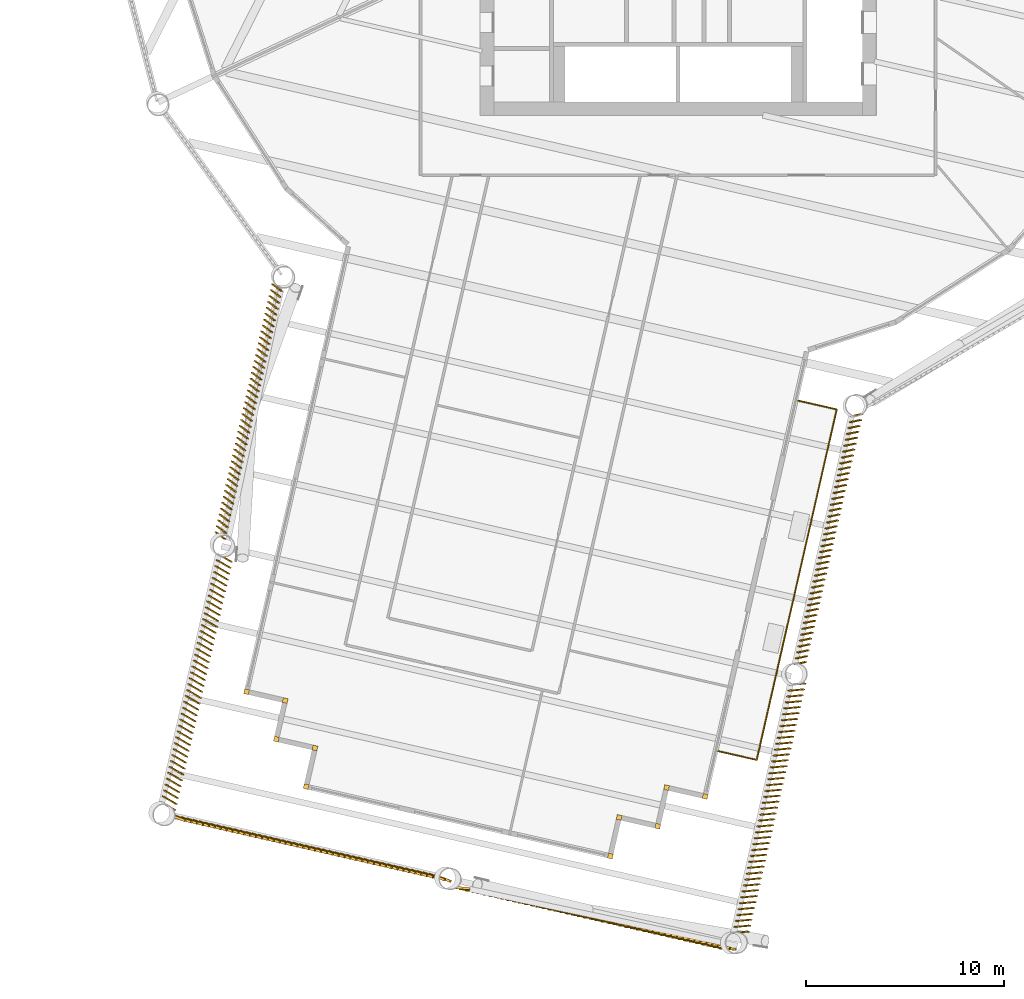
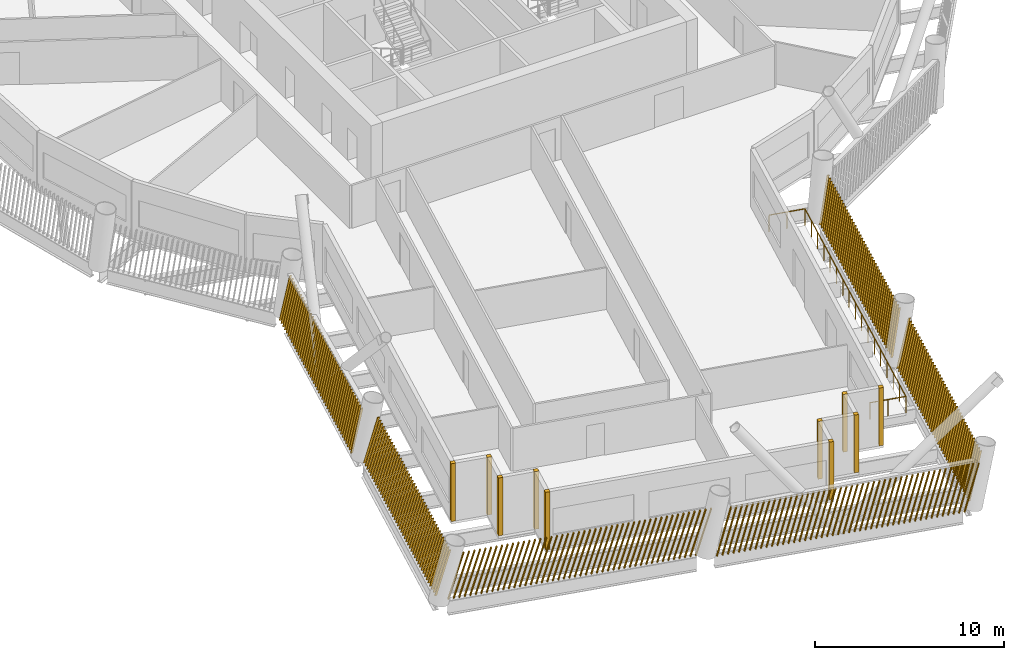
# One storey, part 17 of 21: 16 shading devices, 1 railing.
"""IFC4 building model written with IfcOpenShell, lengths in metres."""

from ifc_helpers import new_model, si_unit, direction, frame, frame_2d, origin, origin_2d, place, context, subcontext, project, spatial, rectangle, circle, composite_profile, extrude, material, type_object, element, save


model = new_model("IFC4")

# Units and contexts
model_context = context("Model", 3, precision=1e-05, world=origin(), true_north=direction((0.0, 1.0)))
body_context = subcontext(model_context, "Body", "Model", "MODEL_VIEW")
ifc_project = project(units=[si_unit("LENGTHUNIT", "METRE"), si_unit("AREAUNIT", "SQUARE_METRE"), si_unit("VOLUMEUNIT", "CUBIC_METRE"), si_unit("PLANEANGLEUNIT", "RADIAN"), si_unit("MASSUNIT", "GRAM", prefix="KILO")], contexts=[model_context])

# Site, building, storey
site_placement = place(None, origin())
site = spatial("IfcSite", under=ifc_project, at=site_placement, CompositionType="ELEMENT")
building_placement = place(site_placement, origin())
building = spatial("IfcBuilding", under=site, at=building_placement, Name="Tarsis Ring Headquarters", CompositionType="ELEMENT")
storey_placement = place(building_placement, frame((0.0, 0.0, 171.0)))
storey = spatial("IfcBuildingStorey", under=building, at=storey_placement, Name="L39", CompositionType="ELEMENT", Elevation=171.0)

# Railing
ifc_material_1 = material(Name="Stainless steel guard", Category="steel")
railing_type = type_object("IfcRailingType", Name="Balcony balustrade with mesh infill 1100", PredefinedType="BALUSTRADE", material=ifc_material_1)
railing_placement = place(storey_placement, frame((2.017333984375, -45.079833984375, 0.0)))
element("IfcRailing", 1, at=railing_placement, inside=storey, type_object=railing_type, Name="Balcony balustrade L39-16", PredefinedType="BALUSTRADE", context=body_context, shape_type="SweptSolid", body=[
    extrude(circle(Radius=0.030029296875, at=origin_2d()), frame((0.0, 0.0, 1.070068359375), z_axis=(0.974921353961, -0.222549665448, 0.0), x_axis=(0.222549665448, 0.974921353961, 0.0)), (0.0, 0.0, 1.0), 1.999755859375),
    extrude(circle(Radius=0.030029296875, at=origin_2d()), frame((1.94970703125, -0.445068359375, 1.070068359375), z_axis=(0.22257498864, 0.974915572976, 0.0), x_axis=(-0.974915572976, 0.22257498864, 0.0)), (0.0, 0.0, 1.0), 18.1513671875),
    extrude(circle(Radius=0.030029296875, at=origin_2d()), frame((5.98974609375, 17.2509765625, 1.070068359375), z_axis=(-0.974927399244, 0.222523181272, 0.0), x_axis=(-0.222523181272, -0.974927399244, 0.0)), (0.0, 0.0, 1.0), 2.0),
    extrude(circle(Radius=0.02490234375, at=origin_2d()), origin(), (0.0, 0.0, 1.0), 1.0400390625),
    extrude(circle(Radius=0.02490234375, at=origin_2d()), frame((0.974853515625, -0.22265625, 0.0)), (0.0, 0.0, 1.0), 1.0400390625),
    extrude(circle(Radius=0.02490234375, at=origin_2d()), frame((1.94970703125, -0.445068359375, 0.0)), (0.0, 0.0, 1.0), 1.0400390625),
    extrude(circle(Radius=0.02490234375, at=origin_2d()), frame((2.2021484375, 0.660888671875, 0.0)), (0.0, 0.0, 1.0), 1.0400390625),
    extrude(circle(Radius=0.02490234375, at=origin_2d()), frame((2.45458984375, 1.766845703125, 0.0)), (0.0, 0.0, 1.0), 1.0400390625),
    extrude(circle(Radius=0.02490234375, at=origin_2d()), frame((2.707275390625, 2.873046875, 0.0)), (0.0, 0.0, 1.0), 1.0400390625),
    extrude(circle(Radius=0.02490234375, at=origin_2d()), frame((2.959716796875, 3.97900390625, 0.0)), (0.0, 0.0, 1.0), 1.0400390625),
    extrude(circle(Radius=0.02490234375, at=origin_2d()), frame((3.212158203125, 5.0849609375, 0.0)), (0.0, 0.0, 1.0), 1.0400390625),
    extrude(circle(Radius=0.02490234375, at=origin_2d()), frame((3.46484375, 6.19091796875, 0.0)), (0.0, 0.0, 1.0), 1.0400390625),
    extrude(circle(Radius=0.02490234375, at=origin_2d()), frame((3.71728515625, 7.296875, 0.0)), (0.0, 0.0, 1.0), 1.0400390625),
    extrude(circle(Radius=0.02490234375, at=origin_2d()), frame((3.9697265625, 8.40283203125, 0.0)), (0.0, 0.0, 1.0), 1.0400390625),
    extrude(circle(Radius=0.02490234375, at=origin_2d()), frame((4.22216796875, 9.509033203125, 0.0)), (0.0, 0.0, 1.0), 1.0400390625),
    extrude(circle(Radius=0.02490234375, at=origin_2d()), frame((4.474609375, 10.614990234375, 0.0)), (0.0, 0.0, 1.0), 1.0400390625),
    extrude(circle(Radius=0.02490234375, at=origin_2d()), frame((4.727294921875, 11.720947265625, 0.0)), (0.0, 0.0, 1.0), 1.0400390625),
    extrude(circle(Radius=0.02490234375, at=origin_2d()), frame((4.979736328125, 12.826904296875, 0.0)), (0.0, 0.0, 1.0), 1.0400390625),
    extrude(circle(Radius=0.02490234375, at=origin_2d()), frame((5.232177734375, 13.932861328125, 0.0)), (0.0, 0.0, 1.0), 1.0400390625),
    extrude(circle(Radius=0.02490234375, at=origin_2d()), frame((5.48486328125, 15.0390625, 0.0)), (0.0, 0.0, 1.0), 1.0400390625),
    extrude(circle(Radius=0.02490234375, at=origin_2d()), frame((5.7373046875, 16.14501953125, 0.0)), (0.0, 0.0, 1.0), 1.0400390625),
    extrude(circle(Radius=0.02490234375, at=origin_2d()), frame((5.98974609375, 17.2509765625, 0.0)), (0.0, 0.0, 1.0), 1.0400390625),
    extrude(circle(Radius=0.02490234375, at=origin_2d()), frame((5.0146484375, 17.4736328125, 0.0)), (0.0, 0.0, 1.0), 1.0400390625),
    extrude(circle(Radius=0.02490234375, at=origin_2d()), frame((4.039794921875, 17.696044921875, 0.0)), (0.0, 0.0, 1.0), 1.0400390625),
])

# Shading devices
ifc_material_2 = material(Name="Terracotta baguette", Category="masonry")
shading_device_type_1 = type_object("IfcShadingDeviceType", Name="Terracotta baguette screen", PredefinedType="USERDEFINED", material=ifc_material_2)
shading_device_1_placement = place(storey_placement, frame((-20.468994140625, -21.478515625, 0.0), z_axis=(0.0, 0.0, 1.0), x_axis=(-0.222562821677, -0.974909173479, 0.0)))
element("IfcShadingDevice", 2, at=shading_device_1_placement, inside=storey, type_object=shading_device_type_1, Name="Baguette screen L39-01", ObjectType="Terracotta baguette screen", PredefinedType="USERDEFINED", context=body_context, shape_type="SweptSolid", body=[
    extrude(composite_profile([rectangle(XDim=0.06005859375, YDim=0.1201171875, at=frame_2d((0.030029296875, 0.0))), rectangle(XDim=0.06005859375, YDim=0.1201171875, at=frame_2d((0.335693359375, 0.0))), rectangle(XDim=0.06005859375, YDim=0.1201171875, at=frame_2d((0.6416015625, 0.0))), rectangle(XDim=0.06005859375, YDim=0.1201171875, at=frame_2d((0.947265625, 0.0))), rectangle(XDim=0.06005859375, YDim=0.1201171875, at=frame_2d((1.253173828125, 0.0))), rectangle(XDim=0.06005859375, YDim=0.1201171875, at=frame_2d((1.558837890625, 0.0))), rectangle(XDim=0.06005859375, YDim=0.1201171875, at=frame_2d((1.864501953125, 0.0))), rectangle(XDim=0.06005859375, YDim=0.1201171875, at=frame_2d((2.17041015625, 0.0))), rectangle(XDim=0.06005859375, YDim=0.1201171875, at=frame_2d((2.47607421875, 0.0))), rectangle(XDim=0.06005859375, YDim=0.1201171875, at=frame_2d((2.781982421875, 0.0))), rectangle(XDim=0.06005859375, YDim=0.1201171875, at=frame_2d((3.087646484375, 0.0))), rectangle(XDim=0.06005859375, YDim=0.1201171875, at=frame_2d((3.393310546875, 0.0))), rectangle(XDim=0.06005859375, YDim=0.1201171875, at=frame_2d((3.69921875, 0.0))), rectangle(XDim=0.06005859375, YDim=0.1201171875, at=frame_2d((4.0048828125, 0.0))), rectangle(XDim=0.06005859375, YDim=0.1201171875, at=frame_2d((4.310791015625, 0.0))), rectangle(XDim=0.06005859375, YDim=0.1201171875, at=frame_2d((4.616455078125, 0.0))), rectangle(XDim=0.06005859375, YDim=0.1201171875, at=frame_2d((4.922119140625, 0.0))), rectangle(XDim=0.06005859375, YDim=0.1201171875, at=frame_2d((5.22802734375, 0.0))), rectangle(XDim=0.06005859375, YDim=0.1201171875, at=frame_2d((5.53369140625, 0.0))), rectangle(XDim=0.06005859375, YDim=0.1201171875, at=frame_2d((5.839599609375, 0.0))), rectangle(XDim=0.06005859375, YDim=0.1201171875, at=frame_2d((6.145263671875, 0.0))), rectangle(XDim=0.06005859375, YDim=0.1201171875, at=frame_2d((6.451171875, 0.0))), rectangle(XDim=0.06005859375, YDim=0.1201171875, at=frame_2d((6.7568359375, 0.0))), rectangle(XDim=0.06005859375, YDim=0.1201171875, at=frame_2d((7.0625, 0.0))), rectangle(XDim=0.06005859375, YDim=0.1201171875, at=frame_2d((7.368408203125, 0.0))), rectangle(XDim=0.06005859375, YDim=0.1201171875, at=frame_2d((7.674072265625, 0.0))), rectangle(XDim=0.06005859375, YDim=0.1201171875, at=frame_2d((7.97998046875, 0.0))), rectangle(XDim=0.06005859375, YDim=0.1201171875, at=frame_2d((8.28564453125, 0.0))), rectangle(XDim=0.06005859375, YDim=0.1201171875, at=frame_2d((8.59130859375, 0.0))), rectangle(XDim=0.06005859375, YDim=0.1201171875, at=frame_2d((8.897216796875, 0.0))), rectangle(XDim=0.06005859375, YDim=0.1201171875, at=frame_2d((9.202880859375, 0.0))), rectangle(XDim=0.06005859375, YDim=0.1201171875, at=frame_2d((9.5087890625, 0.0))), rectangle(XDim=0.06005859375, YDim=0.1201171875, at=frame_2d((9.814453125, 0.0))), rectangle(XDim=0.06005859375, YDim=0.1201171875, at=frame_2d((10.1201171875, 0.0))), rectangle(XDim=0.06005859375, YDim=0.1201171875, at=frame_2d((10.426025390625, 0.0))), rectangle(XDim=0.06005859375, YDim=0.1201171875, at=frame_2d((10.731689453125, 0.0))), rectangle(XDim=0.06005859375, YDim=0.1201171875, at=frame_2d((11.03759765625, 0.0))), rectangle(XDim=0.06005859375, YDim=0.1201171875, at=frame_2d((11.34326171875, 0.0))), rectangle(XDim=0.06005859375, YDim=0.1201171875, at=frame_2d((11.64892578125, 0.0))), rectangle(XDim=0.06005859375, YDim=0.1201171875, at=frame_2d((11.954833984375, 0.0))), rectangle(XDim=0.06005859375, YDim=0.1201171875, at=frame_2d((12.260498046875, 0.0))), rectangle(XDim=0.06005859375, YDim=0.1201171875, at=frame_2d((12.56640625, 0.0))), rectangle(XDim=0.06005859375, YDim=0.1201171875, at=frame_2d((12.8720703125, 0.0)))]), origin(), (0.078092054548, 0.167786328926, 0.982725484987), 3.001708984375),
])
shading_device_2_placement = place(storey_placement, frame((-23.197509765625, -35.115478515625, 0.0), z_axis=(0.0, 0.0, 1.0), x_axis=(-0.222562821677, -0.974909173479, 0.0)))
element("IfcShadingDevice", 3, at=shading_device_2_placement, inside=storey, type_object=shading_device_type_1, Name="Baguette screen L39-02", ObjectType="Terracotta baguette screen", PredefinedType="USERDEFINED", context=body_context, shape_type="SweptSolid", body=[
    extrude(composite_profile([rectangle(XDim=0.06005859375, YDim=0.1201171875, at=frame_2d((0.030029296875, 0.0))), rectangle(XDim=0.06005859375, YDim=0.1201171875, at=frame_2d((0.335693359375, 0.0))), rectangle(XDim=0.06005859375, YDim=0.1201171875, at=frame_2d((0.6416015625, 0.0))), rectangle(XDim=0.06005859375, YDim=0.1201171875, at=frame_2d((0.947265625, 0.0))), rectangle(XDim=0.06005859375, YDim=0.1201171875, at=frame_2d((1.253173828125, 0.0))), rectangle(XDim=0.06005859375, YDim=0.1201171875, at=frame_2d((1.558837890625, 0.0))), rectangle(XDim=0.06005859375, YDim=0.1201171875, at=frame_2d((1.864501953125, 0.0))), rectangle(XDim=0.06005859375, YDim=0.1201171875, at=frame_2d((2.17041015625, 0.0))), rectangle(XDim=0.06005859375, YDim=0.1201171875, at=frame_2d((2.47607421875, 0.0))), rectangle(XDim=0.06005859375, YDim=0.1201171875, at=frame_2d((2.781982421875, 0.0))), rectangle(XDim=0.06005859375, YDim=0.1201171875, at=frame_2d((3.087646484375, 0.0))), rectangle(XDim=0.06005859375, YDim=0.1201171875, at=frame_2d((3.393310546875, 0.0))), rectangle(XDim=0.06005859375, YDim=0.1201171875, at=frame_2d((3.69921875, 0.0))), rectangle(XDim=0.06005859375, YDim=0.1201171875, at=frame_2d((4.0048828125, 0.0))), rectangle(XDim=0.06005859375, YDim=0.1201171875, at=frame_2d((4.310791015625, 0.0))), rectangle(XDim=0.06005859375, YDim=0.1201171875, at=frame_2d((4.616455078125, 0.0))), rectangle(XDim=0.06005859375, YDim=0.1201171875, at=frame_2d((4.922119140625, 0.0))), rectangle(XDim=0.06005859375, YDim=0.1201171875, at=frame_2d((5.22802734375, 0.0))), rectangle(XDim=0.06005859375, YDim=0.1201171875, at=frame_2d((5.53369140625, 0.0))), rectangle(XDim=0.06005859375, YDim=0.1201171875, at=frame_2d((5.839599609375, 0.0))), rectangle(XDim=0.06005859375, YDim=0.1201171875, at=frame_2d((6.145263671875, 0.0))), rectangle(XDim=0.06005859375, YDim=0.1201171875, at=frame_2d((6.451171875, 0.0))), rectangle(XDim=0.06005859375, YDim=0.1201171875, at=frame_2d((6.7568359375, 0.0))), rectangle(XDim=0.06005859375, YDim=0.1201171875, at=frame_2d((7.0625, 0.0))), rectangle(XDim=0.06005859375, YDim=0.1201171875, at=frame_2d((7.368408203125, 0.0))), rectangle(XDim=0.06005859375, YDim=0.1201171875, at=frame_2d((7.674072265625, 0.0))), rectangle(XDim=0.06005859375, YDim=0.1201171875, at=frame_2d((7.97998046875, 0.0))), rectangle(XDim=0.06005859375, YDim=0.1201171875, at=frame_2d((8.28564453125, 0.0))), rectangle(XDim=0.06005859375, YDim=0.1201171875, at=frame_2d((8.59130859375, 0.0))), rectangle(XDim=0.06005859375, YDim=0.1201171875, at=frame_2d((8.897216796875, 0.0))), rectangle(XDim=0.06005859375, YDim=0.1201171875, at=frame_2d((9.202880859375, 0.0))), rectangle(XDim=0.06005859375, YDim=0.1201171875, at=frame_2d((9.5087890625, 0.0))), rectangle(XDim=0.06005859375, YDim=0.1201171875, at=frame_2d((9.814453125, 0.0))), rectangle(XDim=0.06005859375, YDim=0.1201171875, at=frame_2d((10.1201171875, 0.0))), rectangle(XDim=0.06005859375, YDim=0.1201171875, at=frame_2d((10.426025390625, 0.0))), rectangle(XDim=0.06005859375, YDim=0.1201171875, at=frame_2d((10.731689453125, 0.0))), rectangle(XDim=0.06005859375, YDim=0.1201171875, at=frame_2d((11.03759765625, 0.0))), rectangle(XDim=0.06005859375, YDim=0.1201171875, at=frame_2d((11.34326171875, 0.0))), rectangle(XDim=0.06005859375, YDim=0.1201171875, at=frame_2d((11.64892578125, 0.0))), rectangle(XDim=0.06005859375, YDim=0.1201171875, at=frame_2d((11.954833984375, 0.0))), rectangle(XDim=0.06005859375, YDim=0.1201171875, at=frame_2d((12.260498046875, 0.0))), rectangle(XDim=0.06005859375, YDim=0.1201171875, at=frame_2d((12.56640625, 0.0))), rectangle(XDim=0.06005859375, YDim=0.1201171875, at=frame_2d((12.8720703125, 0.0)))]), origin(), (0.074475694644, 0.237067092116, 0.968634381355), 3.04541015625),
])
shading_device_3_placement = place(storey_placement, frame((-25.69287109375, -48.29296875, 0.0), z_axis=(0.0, 0.0, 1.0), x_axis=(0.974913754976, -0.222556390977, 0.0)))
element("IfcShadingDevice", 4, at=shading_device_3_placement, inside=storey, type_object=shading_device_type_1, Name="Baguette screen L39-03", ObjectType="Terracotta baguette screen", PredefinedType="USERDEFINED", context=body_context, shape_type="SweptSolid", body=[
    extrude(composite_profile([rectangle(XDim=0.06005859375, YDim=0.1201171875, at=frame_2d((0.030029296875, 0.0))), rectangle(XDim=0.06005859375, YDim=0.1201171875, at=frame_2d((0.33544921875, 0.0))), rectangle(XDim=0.06005859375, YDim=0.1201171875, at=frame_2d((0.640625, 0.0))), rectangle(XDim=0.06005859375, YDim=0.1201171875, at=frame_2d((0.946044921875, 0.0))), rectangle(XDim=0.06005859375, YDim=0.1201171875, at=frame_2d((1.25146484375, 0.0))), rectangle(XDim=0.06005859375, YDim=0.1201171875, at=frame_2d((1.556640625, 0.0))), rectangle(XDim=0.06005859375, YDim=0.1201171875, at=frame_2d((1.862060546875, 0.0))), rectangle(XDim=0.06005859375, YDim=0.1201171875, at=frame_2d((2.16748046875, 0.0))), rectangle(XDim=0.06005859375, YDim=0.1201171875, at=frame_2d((2.47265625, 0.0))), rectangle(XDim=0.06005859375, YDim=0.1201171875, at=frame_2d((2.778076171875, 0.0))), rectangle(XDim=0.06005859375, YDim=0.1201171875, at=frame_2d((3.08349609375, 0.0))), rectangle(XDim=0.06005859375, YDim=0.1201171875, at=frame_2d((3.388671875, 0.0))), rectangle(XDim=0.06005859375, YDim=0.1201171875, at=frame_2d((3.694091796875, 0.0))), rectangle(XDim=0.06005859375, YDim=0.1201171875, at=frame_2d((3.99951171875, 0.0))), rectangle(XDim=0.06005859375, YDim=0.1201171875, at=frame_2d((4.3046875, 0.0))), rectangle(XDim=0.06005859375, YDim=0.1201171875, at=frame_2d((4.610107421875, 0.0))), rectangle(XDim=0.06005859375, YDim=0.1201171875, at=frame_2d((4.91552734375, 0.0))), rectangle(XDim=0.06005859375, YDim=0.1201171875, at=frame_2d((5.220703125, 0.0))), rectangle(XDim=0.06005859375, YDim=0.1201171875, at=frame_2d((5.526123046875, 0.0))), rectangle(XDim=0.06005859375, YDim=0.1201171875, at=frame_2d((5.83154296875, 0.0))), rectangle(XDim=0.06005859375, YDim=0.1201171875, at=frame_2d((6.13671875, 0.0))), rectangle(XDim=0.06005859375, YDim=0.1201171875, at=frame_2d((6.442138671875, 0.0))), rectangle(XDim=0.06005859375, YDim=0.1201171875, at=frame_2d((6.74755859375, 0.0))), rectangle(XDim=0.06005859375, YDim=0.1201171875, at=frame_2d((7.052734375, 0.0))), rectangle(XDim=0.06005859375, YDim=0.1201171875, at=frame_2d((7.358154296875, 0.0))), rectangle(XDim=0.06005859375, YDim=0.1201171875, at=frame_2d((7.66357421875, 0.0))), rectangle(XDim=0.06005859375, YDim=0.1201171875, at=frame_2d((7.96875, 0.0))), rectangle(XDim=0.06005859375, YDim=0.1201171875, at=frame_2d((8.274169921875, 0.0))), rectangle(XDim=0.06005859375, YDim=0.1201171875, at=frame_2d((8.57958984375, 0.0))), rectangle(XDim=0.06005859375, YDim=0.1201171875, at=frame_2d((8.884765625, 0.0))), rectangle(XDim=0.06005859375, YDim=0.1201171875, at=frame_2d((9.190185546875, 0.0))), rectangle(XDim=0.06005859375, YDim=0.1201171875, at=frame_2d((9.49560546875, 0.0))), rectangle(XDim=0.06005859375, YDim=0.1201171875, at=frame_2d((9.80078125, 0.0))), rectangle(XDim=0.06005859375, YDim=0.1201171875, at=frame_2d((10.106201171875, 0.0))), rectangle(XDim=0.06005859375, YDim=0.1201171875, at=frame_2d((10.41162109375, 0.0))), rectangle(XDim=0.06005859375, YDim=0.1201171875, at=frame_2d((10.716796875, 0.0))), rectangle(XDim=0.06005859375, YDim=0.1201171875, at=frame_2d((11.022216796875, 0.0))), rectangle(XDim=0.06005859375, YDim=0.1201171875, at=frame_2d((11.32763671875, 0.0))), rectangle(XDim=0.06005859375, YDim=0.1201171875, at=frame_2d((11.6328125, 0.0))), rectangle(XDim=0.06005859375, YDim=0.1201171875, at=frame_2d((11.938232421875, 0.0))), rectangle(XDim=0.06005859375, YDim=0.1201171875, at=frame_2d((12.24365234375, 0.0))), rectangle(XDim=0.06005859375, YDim=0.1201171875, at=frame_2d((12.548828125, 0.0))), rectangle(XDim=0.06005859375, YDim=0.1201171875, at=frame_2d((12.854248046875, 0.0))), rectangle(XDim=0.06005859375, YDim=0.1201171875, at=frame_2d((13.15966796875, 0.0))), rectangle(XDim=0.06005859375, YDim=0.1201171875, at=frame_2d((13.46484375, 0.0))), rectangle(XDim=0.06005859375, YDim=0.1201171875, at=frame_2d((13.770263671875, 0.0)))]), origin(), (0.270747163021, -0.035783246808, 0.961985204129), 3.06640625),
])
shading_device_4_placement = place(storey_placement, frame((-11.34765625, -51.952392578125, 0.0), z_axis=(0.0, 0.0, 1.0), x_axis=(0.974913754976, -0.222574082264, 0.0)))
element("IfcShadingDevice", 5, at=shading_device_4_placement, inside=storey, type_object=shading_device_type_1, Name="Baguette screen L39-04", ObjectType="Terracotta baguette screen", PredefinedType="USERDEFINED", context=body_context, shape_type="SweptSolid", body=[
    extrude(composite_profile([rectangle(XDim=0.06005859375, YDim=0.1201171875, at=frame_2d((0.030029296875, 0.0))), rectangle(XDim=0.06005859375, YDim=0.1201171875, at=frame_2d((0.33544921875, 0.0))), rectangle(XDim=0.06005859375, YDim=0.1201171875, at=frame_2d((0.640625, 0.0))), rectangle(XDim=0.06005859375, YDim=0.1201171875, at=frame_2d((0.946044921875, 0.0))), rectangle(XDim=0.06005859375, YDim=0.1201171875, at=frame_2d((1.25146484375, 0.0))), rectangle(XDim=0.06005859375, YDim=0.1201171875, at=frame_2d((1.556640625, 0.0))), rectangle(XDim=0.06005859375, YDim=0.1201171875, at=frame_2d((1.862060546875, 0.0))), rectangle(XDim=0.06005859375, YDim=0.1201171875, at=frame_2d((2.16748046875, 0.0))), rectangle(XDim=0.06005859375, YDim=0.1201171875, at=frame_2d((2.47265625, 0.0))), rectangle(XDim=0.06005859375, YDim=0.1201171875, at=frame_2d((2.778076171875, 0.0))), rectangle(XDim=0.06005859375, YDim=0.1201171875, at=frame_2d((3.08349609375, 0.0))), rectangle(XDim=0.06005859375, YDim=0.1201171875, at=frame_2d((3.388671875, 0.0))), rectangle(XDim=0.06005859375, YDim=0.1201171875, at=frame_2d((3.694091796875, 0.0))), rectangle(XDim=0.06005859375, YDim=0.1201171875, at=frame_2d((3.99951171875, 0.0))), rectangle(XDim=0.06005859375, YDim=0.1201171875, at=frame_2d((4.3046875, 0.0))), rectangle(XDim=0.06005859375, YDim=0.1201171875, at=frame_2d((4.610107421875, 0.0))), rectangle(XDim=0.06005859375, YDim=0.1201171875, at=frame_2d((4.91552734375, 0.0))), rectangle(XDim=0.06005859375, YDim=0.1201171875, at=frame_2d((5.220703125, 0.0))), rectangle(XDim=0.06005859375, YDim=0.1201171875, at=frame_2d((5.526123046875, 0.0))), rectangle(XDim=0.06005859375, YDim=0.1201171875, at=frame_2d((5.83154296875, 0.0))), rectangle(XDim=0.06005859375, YDim=0.1201171875, at=frame_2d((6.13671875, 0.0))), rectangle(XDim=0.06005859375, YDim=0.1201171875, at=frame_2d((6.442138671875, 0.0))), rectangle(XDim=0.06005859375, YDim=0.1201171875, at=frame_2d((6.74755859375, 0.0))), rectangle(XDim=0.06005859375, YDim=0.1201171875, at=frame_2d((7.052734375, 0.0))), rectangle(XDim=0.06005859375, YDim=0.1201171875, at=frame_2d((7.358154296875, 0.0))), rectangle(XDim=0.06005859375, YDim=0.1201171875, at=frame_2d((7.66357421875, 0.0))), rectangle(XDim=0.06005859375, YDim=0.1201171875, at=frame_2d((7.96875, 0.0))), rectangle(XDim=0.06005859375, YDim=0.1201171875, at=frame_2d((8.274169921875, 0.0))), rectangle(XDim=0.06005859375, YDim=0.1201171875, at=frame_2d((8.57958984375, 0.0))), rectangle(XDim=0.06005859375, YDim=0.1201171875, at=frame_2d((8.884765625, 0.0))), rectangle(XDim=0.06005859375, YDim=0.1201171875, at=frame_2d((9.190185546875, 0.0))), rectangle(XDim=0.06005859375, YDim=0.1201171875, at=frame_2d((9.49560546875, 0.0))), rectangle(XDim=0.06005859375, YDim=0.1201171875, at=frame_2d((9.80078125, 0.0))), rectangle(XDim=0.06005859375, YDim=0.1201171875, at=frame_2d((10.106201171875, 0.0))), rectangle(XDim=0.06005859375, YDim=0.1201171875, at=frame_2d((10.41162109375, 0.0))), rectangle(XDim=0.06005859375, YDim=0.1201171875, at=frame_2d((10.716796875, 0.0))), rectangle(XDim=0.06005859375, YDim=0.1201171875, at=frame_2d((11.022216796875, 0.0))), rectangle(XDim=0.06005859375, YDim=0.1201171875, at=frame_2d((11.32763671875, 0.0))), rectangle(XDim=0.06005859375, YDim=0.1201171875, at=frame_2d((11.6328125, 0.0))), rectangle(XDim=0.06005859375, YDim=0.1201171875, at=frame_2d((11.938232421875, 0.0))), rectangle(XDim=0.06005859375, YDim=0.1201171875, at=frame_2d((12.24365234375, 0.0))), rectangle(XDim=0.06005859375, YDim=0.1201171875, at=frame_2d((12.548828125, 0.0))), rectangle(XDim=0.06005859375, YDim=0.1201171875, at=frame_2d((12.854248046875, 0.0))), rectangle(XDim=0.06005859375, YDim=0.1201171875, at=frame_2d((13.15966796875, 0.0))), rectangle(XDim=0.06005859375, YDim=0.1201171875, at=frame_2d((13.46484375, 0.0))), rectangle(XDim=0.06005859375, YDim=0.1201171875, at=frame_2d((13.770263671875, 0.0)))]), origin(), (0.271931999451, 0.040023821374, 0.961483791542), 3.068115234375),
])
shading_device_5_placement = place(storey_placement, frame((2.788330078125, -54.2822265625, 0.0), z_axis=(0.0, 0.0, 1.0), x_axis=(0.222562821677, 0.974909173479, 0.0)))
element("IfcShadingDevice", 6, at=shading_device_5_placement, inside=storey, type_object=shading_device_type_1, Name="Baguette screen L39-05", ObjectType="Terracotta baguette screen", PredefinedType="USERDEFINED", context=body_context, shape_type="SweptSolid", body=[
    extrude(composite_profile([rectangle(XDim=0.06005859375, YDim=0.1201171875, at=frame_2d((0.030029296875, 0.0))), rectangle(XDim=0.06005859375, YDim=0.1201171875, at=frame_2d((0.335693359375, 0.0))), rectangle(XDim=0.06005859375, YDim=0.1201171875, at=frame_2d((0.6416015625, 0.0))), rectangle(XDim=0.06005859375, YDim=0.1201171875, at=frame_2d((0.947265625, 0.0))), rectangle(XDim=0.06005859375, YDim=0.1201171875, at=frame_2d((1.253173828125, 0.0))), rectangle(XDim=0.06005859375, YDim=0.1201171875, at=frame_2d((1.558837890625, 0.0))), rectangle(XDim=0.06005859375, YDim=0.1201171875, at=frame_2d((1.864501953125, 0.0))), rectangle(XDim=0.06005859375, YDim=0.1201171875, at=frame_2d((2.17041015625, 0.0))), rectangle(XDim=0.06005859375, YDim=0.1201171875, at=frame_2d((2.47607421875, 0.0))), rectangle(XDim=0.06005859375, YDim=0.1201171875, at=frame_2d((2.781982421875, 0.0))), rectangle(XDim=0.06005859375, YDim=0.1201171875, at=frame_2d((3.087646484375, 0.0))), rectangle(XDim=0.06005859375, YDim=0.1201171875, at=frame_2d((3.393310546875, 0.0))), rectangle(XDim=0.06005859375, YDim=0.1201171875, at=frame_2d((3.69921875, 0.0))), rectangle(XDim=0.06005859375, YDim=0.1201171875, at=frame_2d((4.0048828125, 0.0))), rectangle(XDim=0.06005859375, YDim=0.1201171875, at=frame_2d((4.310791015625, 0.0))), rectangle(XDim=0.06005859375, YDim=0.1201171875, at=frame_2d((4.616455078125, 0.0))), rectangle(XDim=0.06005859375, YDim=0.1201171875, at=frame_2d((4.922119140625, 0.0))), rectangle(XDim=0.06005859375, YDim=0.1201171875, at=frame_2d((5.22802734375, 0.0))), rectangle(XDim=0.06005859375, YDim=0.1201171875, at=frame_2d((5.53369140625, 0.0))), rectangle(XDim=0.06005859375, YDim=0.1201171875, at=frame_2d((5.839599609375, 0.0))), rectangle(XDim=0.06005859375, YDim=0.1201171875, at=frame_2d((6.145263671875, 0.0))), rectangle(XDim=0.06005859375, YDim=0.1201171875, at=frame_2d((6.451171875, 0.0))), rectangle(XDim=0.06005859375, YDim=0.1201171875, at=frame_2d((6.7568359375, 0.0))), rectangle(XDim=0.06005859375, YDim=0.1201171875, at=frame_2d((7.0625, 0.0))), rectangle(XDim=0.06005859375, YDim=0.1201171875, at=frame_2d((7.368408203125, 0.0))), rectangle(XDim=0.06005859375, YDim=0.1201171875, at=frame_2d((7.674072265625, 0.0))), rectangle(XDim=0.06005859375, YDim=0.1201171875, at=frame_2d((7.97998046875, 0.0))), rectangle(XDim=0.06005859375, YDim=0.1201171875, at=frame_2d((8.28564453125, 0.0))), rectangle(XDim=0.06005859375, YDim=0.1201171875, at=frame_2d((8.59130859375, 0.0))), rectangle(XDim=0.06005859375, YDim=0.1201171875, at=frame_2d((8.897216796875, 0.0))), rectangle(XDim=0.06005859375, YDim=0.1201171875, at=frame_2d((9.202880859375, 0.0))), rectangle(XDim=0.06005859375, YDim=0.1201171875, at=frame_2d((9.5087890625, 0.0))), rectangle(XDim=0.06005859375, YDim=0.1201171875, at=frame_2d((9.814453125, 0.0))), rectangle(XDim=0.06005859375, YDim=0.1201171875, at=frame_2d((10.1201171875, 0.0))), rectangle(XDim=0.06005859375, YDim=0.1201171875, at=frame_2d((10.426025390625, 0.0))), rectangle(XDim=0.06005859375, YDim=0.1201171875, at=frame_2d((10.731689453125, 0.0))), rectangle(XDim=0.06005859375, YDim=0.1201171875, at=frame_2d((11.03759765625, 0.0))), rectangle(XDim=0.06005859375, YDim=0.1201171875, at=frame_2d((11.34326171875, 0.0))), rectangle(XDim=0.06005859375, YDim=0.1201171875, at=frame_2d((11.64892578125, 0.0))), rectangle(XDim=0.06005859375, YDim=0.1201171875, at=frame_2d((11.954833984375, 0.0))), rectangle(XDim=0.06005859375, YDim=0.1201171875, at=frame_2d((12.260498046875, 0.0))), rectangle(XDim=0.06005859375, YDim=0.1201171875, at=frame_2d((12.56640625, 0.0))), rectangle(XDim=0.06005859375, YDim=0.1201171875, at=frame_2d((12.8720703125, 0.0)))]), origin(), (0.078187828554, -0.235868246407, 0.968634520241), 3.04541015625),
])
shading_device_6_placement = place(storey_placement, frame((5.882568359375, -40.728759765625, 0.0), z_axis=(0.0, 0.0, 1.0), x_axis=(0.222562821677, 0.974909173479, 0.0)))
element("IfcShadingDevice", 7, at=shading_device_6_placement, inside=storey, type_object=shading_device_type_1, Name="Baguette screen L39-06", ObjectType="Terracotta baguette screen", PredefinedType="USERDEFINED", context=body_context, shape_type="SweptSolid", body=[
    extrude(composite_profile([rectangle(XDim=0.06005859375, YDim=0.1201171875, at=frame_2d((0.030029296875, 0.0))), rectangle(XDim=0.06005859375, YDim=0.1201171875, at=frame_2d((0.335693359375, 0.0))), rectangle(XDim=0.06005859375, YDim=0.1201171875, at=frame_2d((0.6416015625, 0.0))), rectangle(XDim=0.06005859375, YDim=0.1201171875, at=frame_2d((0.947265625, 0.0))), rectangle(XDim=0.06005859375, YDim=0.1201171875, at=frame_2d((1.253173828125, 0.0))), rectangle(XDim=0.06005859375, YDim=0.1201171875, at=frame_2d((1.558837890625, 0.0))), rectangle(XDim=0.06005859375, YDim=0.1201171875, at=frame_2d((1.864501953125, 0.0))), rectangle(XDim=0.06005859375, YDim=0.1201171875, at=frame_2d((2.17041015625, 0.0))), rectangle(XDim=0.06005859375, YDim=0.1201171875, at=frame_2d((2.47607421875, 0.0))), rectangle(XDim=0.06005859375, YDim=0.1201171875, at=frame_2d((2.781982421875, 0.0))), rectangle(XDim=0.06005859375, YDim=0.1201171875, at=frame_2d((3.087646484375, 0.0))), rectangle(XDim=0.06005859375, YDim=0.1201171875, at=frame_2d((3.393310546875, 0.0))), rectangle(XDim=0.06005859375, YDim=0.1201171875, at=frame_2d((3.69921875, 0.0))), rectangle(XDim=0.06005859375, YDim=0.1201171875, at=frame_2d((4.0048828125, 0.0))), rectangle(XDim=0.06005859375, YDim=0.1201171875, at=frame_2d((4.310791015625, 0.0))), rectangle(XDim=0.06005859375, YDim=0.1201171875, at=frame_2d((4.616455078125, 0.0))), rectangle(XDim=0.06005859375, YDim=0.1201171875, at=frame_2d((4.922119140625, 0.0))), rectangle(XDim=0.06005859375, YDim=0.1201171875, at=frame_2d((5.22802734375, 0.0))), rectangle(XDim=0.06005859375, YDim=0.1201171875, at=frame_2d((5.53369140625, 0.0))), rectangle(XDim=0.06005859375, YDim=0.1201171875, at=frame_2d((5.839599609375, 0.0))), rectangle(XDim=0.06005859375, YDim=0.1201171875, at=frame_2d((6.145263671875, 0.0))), rectangle(XDim=0.06005859375, YDim=0.1201171875, at=frame_2d((6.451171875, 0.0))), rectangle(XDim=0.06005859375, YDim=0.1201171875, at=frame_2d((6.7568359375, 0.0))), rectangle(XDim=0.06005859375, YDim=0.1201171875, at=frame_2d((7.0625, 0.0))), rectangle(XDim=0.06005859375, YDim=0.1201171875, at=frame_2d((7.368408203125, 0.0))), rectangle(XDim=0.06005859375, YDim=0.1201171875, at=frame_2d((7.674072265625, 0.0))), rectangle(XDim=0.06005859375, YDim=0.1201171875, at=frame_2d((7.97998046875, 0.0))), rectangle(XDim=0.06005859375, YDim=0.1201171875, at=frame_2d((8.28564453125, 0.0))), rectangle(XDim=0.06005859375, YDim=0.1201171875, at=frame_2d((8.59130859375, 0.0))), rectangle(XDim=0.06005859375, YDim=0.1201171875, at=frame_2d((8.897216796875, 0.0))), rectangle(XDim=0.06005859375, YDim=0.1201171875, at=frame_2d((9.202880859375, 0.0))), rectangle(XDim=0.06005859375, YDim=0.1201171875, at=frame_2d((9.5087890625, 0.0))), rectangle(XDim=0.06005859375, YDim=0.1201171875, at=frame_2d((9.814453125, 0.0))), rectangle(XDim=0.06005859375, YDim=0.1201171875, at=frame_2d((10.1201171875, 0.0))), rectangle(XDim=0.06005859375, YDim=0.1201171875, at=frame_2d((10.426025390625, 0.0))), rectangle(XDim=0.06005859375, YDim=0.1201171875, at=frame_2d((10.731689453125, 0.0))), rectangle(XDim=0.06005859375, YDim=0.1201171875, at=frame_2d((11.03759765625, 0.0))), rectangle(XDim=0.06005859375, YDim=0.1201171875, at=frame_2d((11.34326171875, 0.0))), rectangle(XDim=0.06005859375, YDim=0.1201171875, at=frame_2d((11.64892578125, 0.0))), rectangle(XDim=0.06005859375, YDim=0.1201171875, at=frame_2d((11.954833984375, 0.0))), rectangle(XDim=0.06005859375, YDim=0.1201171875, at=frame_2d((12.260498046875, 0.0))), rectangle(XDim=0.06005859375, YDim=0.1201171875, at=frame_2d((12.56640625, 0.0))), rectangle(XDim=0.06005859375, YDim=0.1201171875, at=frame_2d((12.8720703125, 0.0)))]), origin(), (0.078766152934, -0.166580742114, 0.982876772291), 3.00146484375),
])
shading_device_type_2 = type_object("IfcShadingDeviceType", Name="Terracotta corner baguette 250x250", PredefinedType="USERDEFINED", material=ifc_material_2)
for number, where, z_axis, x_axis, name in (
    (8, (-21.78759765625, -42.081298828125, 0.0), (0.0, 0.0, 1.0), (-0.222569532956, -0.974916818503, 0.0), "Corner baguette L39-07"),
    (9, (-19.837646484375, -42.5263671875, 0.0), (0.0, 0.0, 1.0), (0.974916834041, -0.222569464894, 0.0), "Corner baguette L39-08"),
    (10, (-20.28271484375, -44.476318359375, 0.0), (0.0, 0.0, 1.0), (-0.222569566987, -0.974916810734, 0.0), "Corner baguette L39-09"),
    (11, (-18.3330078125, -44.92138671875, 0.0), (0.0, 0.0, 1.0), (0.974916810734, -0.222569566987, 0.0), "Corner baguette L39-10"),
    (12, (-18.778076171875, -46.871337890625, 0.0), (0.0, 0.0, 1.0), (-0.222569345785, -0.974916861233, 0.0), "Corner baguette L39-11"),
    (13, (-3.423095703125, -50.376708984375, 0.0), (0.0, 0.0, 1.0), (0.974916826272, -0.222569498925, 0.0), "Corner baguette L39-12"),
    (14, (-2.97802734375, -48.4267578125, 0.0), (0.0, 0.0, 1.0), (0.222569566987, 0.974916810734, 0.0), "Corner baguette L39-13"),
    (15, (-1.0283203125, -48.8720703125, 0.0), (0.0, 0.0, 1.0), (0.974916834041, -0.222569464894, 0.0), "Corner baguette L39-14"),
    (16, (-0.5830078125, -46.922119140625, 0.0), (0.0, 0.0, 1.0), (0.222569345785, 0.974916861233, 0.0), "Corner baguette L39-15"),
    (17, (1.36669921875, -47.367431640625, 0.0), (0.0, 0.0, 1.0), (0.974916701966, -0.222570043421, 0.0), "Corner baguette L39-16"),
):
    element("IfcShadingDevice", number, at=place(storey_placement, frame(where, z_axis=z_axis, x_axis=x_axis)), inside=storey, type_object=shading_device_type_2, Name=name, ObjectType="Terracotta corner baguette", PredefinedType="USERDEFINED", context=body_context, shape_type="SweptSolid", body=[
        extrude(rectangle(XDim=0.25, YDim=0.25, at=origin_2d()), origin(), (0.0, 0.0, 1.0), 3.739990234375),
    ])

save(model, "model.ifc")
